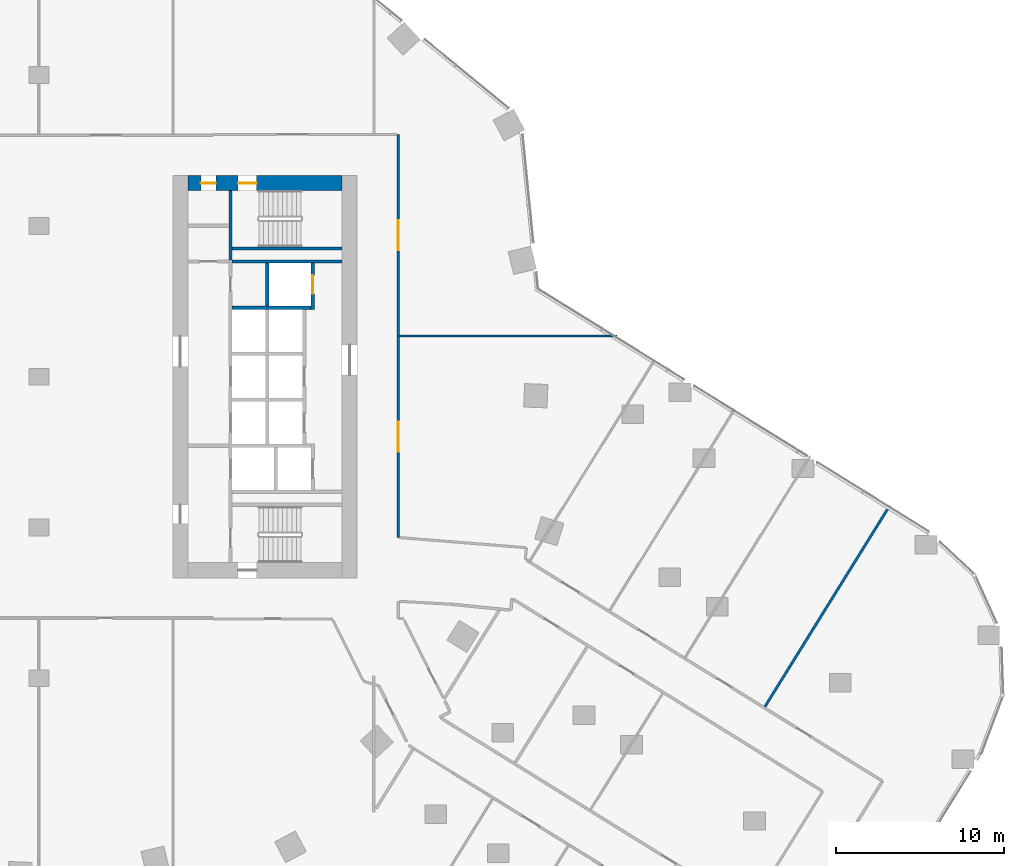
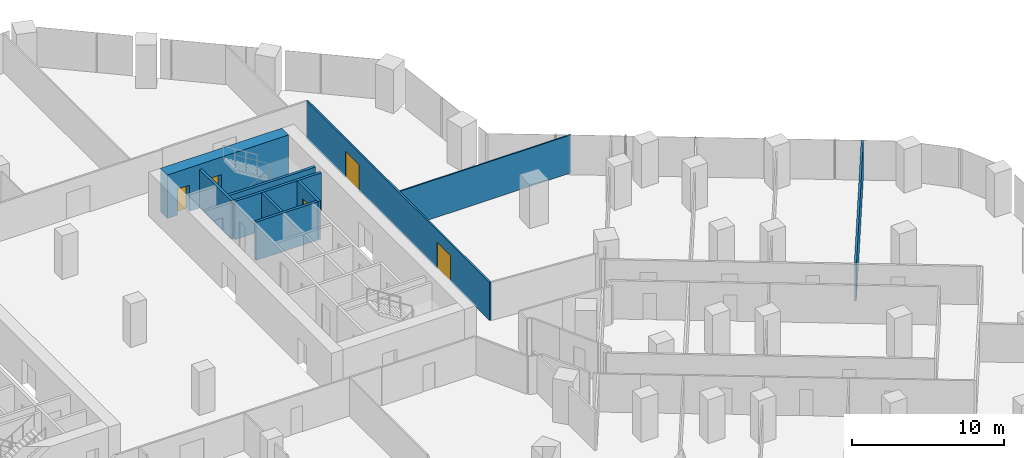
# One storey, part 32 of 34: 10 walls, 5 doors, 5 openings.
"""IFC4 building model written with IfcOpenShell, lengths in metres."""

from ifc_helpers import new_model, si_unit, direction, frame, frame_2d, origin, place, context, subcontext, project, spatial, rectangle, extrude, material, layer, layer_set, type_object, element, fill, save


model = new_model("IFC4")

# Units and contexts
model_context = context("Model", 3, precision=1e-05, world=origin(), true_north=direction((0.0, 1.0)))
body_context = subcontext(model_context, "Body", "Model", "MODEL_VIEW")
ifc_project = project(units=[si_unit("LENGTHUNIT", "METRE"), si_unit("AREAUNIT", "SQUARE_METRE"), si_unit("VOLUMEUNIT", "CUBIC_METRE"), si_unit("PLANEANGLEUNIT", "RADIAN"), si_unit("MASSUNIT", "GRAM", prefix="KILO")], contexts=[model_context])

# Site, building, storey
site_placement = place(None, origin())
site = spatial("IfcSite", under=ifc_project, at=site_placement, CompositionType="ELEMENT")
building_placement = place(site_placement, origin())
building = spatial("IfcBuilding", under=site, at=building_placement, Name="Orlundy Tower", CompositionType="ELEMENT")
storey_placement = place(building_placement, frame((0.0, 0.0, 40.800048828125)))
storey = spatial("IfcBuildingStorey", under=building, at=storey_placement, Name="L08", CompositionType="ELEMENT", Elevation=40.800048828125)

# Wall, openings, doors
ifc_material_1 = material(Name="Concrete C80/95", Category="concrete")
ifc_layer_1 = layer(ifc_material_1, 0.89990234375)
ifc_layer_set_1 = layer_set([ifc_layer_1], Name="CORE WALL 900 C80/95")
wall_type_1 = type_object("IfcWallType", Name="CORE WALL 900 C80/95", PredefinedType="SHEAR", material=ifc_layer_set_1)
wall_1_placement = place(storey_placement, frame((8.89990234375, 11.550048828125, 0.0), z_axis=(0.0, 0.0, 1.0), x_axis=(1.0, 0.0, 0.0)))
wall_1 = element("IfcWall", 1, at=wall_1_placement, inside=storey, type_object=wall_type_1, Name="Core wall E-N L08", PredefinedType="SHEAR", context=body_context, shape_type="SweptSolid", body=[
    extrude(rectangle(XDim=9.2001953125, YDim=0.89990234375, at=frame_2d((4.60009765625, 0.0))), origin(), (0.0, 0.0, 1.0), 3.5),
])
opening_1_placement = place(wall_1_placement, frame((3.0, 0.0, 0.0)))
opening_1 = element("IfcOpeningElement", 2, at=opening_1_placement, cuts=wall_1, Name="Opening 09062", PredefinedType="OPENING", context=body_context, shape_type="SweptSolid", body=[
    extrude(rectangle(XDim=1.10009765625, YDim=2.10009765625, at=frame_2d((0.550048828125, 1.050048828125))), frame((0.0, 0.4599609375, 0.0), z_axis=(0.0, -1.0, 0.0), x_axis=(1.0, 0.0, 0.0)), (0.0, 0.0, 1.0), 0.919921875),
])
opening_2_placement = place(wall_1_placement, frame((0.77001953125, 0.0, 0.0)))
opening_2 = element("IfcOpeningElement", 3, at=opening_2_placement, cuts=wall_1, Name="Opening 09064", PredefinedType="OPENING", context=body_context, shape_type="SweptSolid", body=[
    extrude(rectangle(XDim=0.89990234375, YDim=2.10009765625, at=frame_2d((0.449951171875, 1.050048828125))), frame((0.0, 0.4599609375, 0.0), z_axis=(0.0, -1.0, 0.0), x_axis=(1.0, 0.0, 0.0)), (0.0, 0.0, 1.0), 0.919921875),
])
ifc_material_2 = material(Name="Timber door set", Category="wood")
door_type_1 = type_object("IfcDoorType", Name="Room Door 900x2100", OperationType="SINGLE_SWING_LEFT", PredefinedType="DOOR", material=ifc_material_2)
door_1_placement = place(opening_2_placement, origin())
door_1 = element("IfcDoor", 4, at=door_1_placement, inside=storey, type_object=door_type_1, Name="Store door 09064", OperationType="SINGLE_SWING_LEFT", OverallHeight=2.10009765625, OverallWidth=0.89990234375, PredefinedType="DOOR", context=body_context, shape_type="SweptSolid", body=[
    extrude(rectangle(XDim=0.89990234375, YDim=2.10009765625, at=frame_2d((0.449951171875, 1.050048828125))), frame((0.0, 0.02490234375, 0.0), z_axis=(0.0, -1.0, 0.0), x_axis=(1.0, 0.0, 0.0)), (0.0, 0.0, 1.0), 0.050048828125),
])
fill(opening_2, door_1)
ifc_material_3 = material(Name="Steel door set", Category="steel")
door_type_2 = type_object("IfcDoorType", Name="Stair Door 1100x2100", OperationType="SINGLE_SWING_LEFT", PredefinedType="DOOR", material=ifc_material_3)
door_2_placement = place(opening_1_placement, origin())
door_2 = element("IfcDoor", 5, at=door_2_placement, inside=storey, type_object=door_type_2, Name="Stair door 09062", OperationType="SINGLE_SWING_LEFT", OverallHeight=2.10009765625, OverallWidth=1.10009765625, PredefinedType="DOOR", context=body_context, shape_type="SweptSolid", body=[
    extrude(rectangle(XDim=1.10009765625, YDim=2.10009765625, at=frame_2d((0.550048828125, 1.050048828125))), frame((0.0, 0.02490234375, 0.0), z_axis=(0.0, -1.0, 0.0), x_axis=(1.0, 0.0, 0.0)), (0.0, 0.0, 1.0), 0.050048828125),
])
fill(opening_1, door_2)

# Wall
ifc_material_4 = material(Name="Gypsum board partition")
ifc_layer_2 = layer(ifc_material_4, 0.10009765625)
ifc_layer_set_2 = layer_set([ifc_layer_2], Name="Floor partition 100")
wall_type_2 = type_object("IfcWallType", Name="Floor partition 100", PredefinedType="PARTITIONING", material=ifc_layer_set_2)
wall_2_placement = place(storey_placement, frame((21.511962890625, 2.427001953125, 0.0), z_axis=(0.0, 0.0, 1.0), x_axis=(1.0, 0.0, 0.0)))
element("IfcWall", 6, at=wall_2_placement, inside=storey, type_object=wall_type_2, Name="wall-int-L08-039", PredefinedType="PARTITIONING", context=body_context, shape_type="SweptSolid", body=[
    extrude(rectangle(XDim=12.969970703125, YDim=0.10009765625, at=frame_2d((6.48486328125, 0.0))), origin(), (0.0, 0.0, 1.0), 3.06005859375),
])

# Wall, openings, doors
ifc_material_5 = material(Name="Gypsum board partition, double layer")
ifc_layer_3 = layer(ifc_material_5, 0.125)
ifc_layer_set_3 = layer_set([ifc_layer_3], Name="Floor partition 125")
wall_type_3 = type_object("IfcWallType", Name="Floor partition 125", PredefinedType="PARTITIONING", material=ifc_layer_set_3)
wall_3_placement = place(storey_placement, frame((21.449951171875, 14.450927734375, 0.0), z_axis=(0.0, 0.0, 1.0), x_axis=(0.0, -1.0, 0.0)))
wall_3 = element("IfcWall", 7, at=wall_3_placement, inside=storey, type_object=wall_type_3, Name="wall-int-L08-075", PredefinedType="PARTITIONING", context=body_context, shape_type="SweptSolid", body=[
    extrude(rectangle(XDim=24.044921875, YDim=0.125, at=frame_2d((12.0224609375, 0.0))), origin(), (0.0, 0.0, 1.0), 3.06005859375),
])
opening_3_placement = place(wall_3_placement, frame((17.1240234375, 0.0, 0.0)))
opening_3 = element("IfcOpeningElement", 8, at=opening_3_placement, cuts=wall_3, Name="Opening 09129", PredefinedType="OPENING", context=body_context, shape_type="SweptSolid", body=[
    extrude(rectangle(XDim=1.800048828125, YDim=2.10009765625, at=frame_2d((0.89990234375, 1.050048828125))), frame((0.0, 0.072509765625, 0.0), z_axis=(0.0, -1.0, 0.0), x_axis=(1.0, 0.0, 0.0)), (0.0, 0.0, 1.0), 0.14501953125),
])
opening_4_placement = place(wall_3_placement, frame((5.10009765625, 0.0, 0.0)))
opening_4 = element("IfcOpeningElement", 9, at=opening_4_placement, cuts=wall_3, Name="Opening 09130", PredefinedType="OPENING", context=body_context, shape_type="SweptSolid", body=[
    extrude(rectangle(XDim=1.800048828125, YDim=2.10009765625, at=frame_2d((0.89990234375, 1.050048828125))), frame((0.0, 0.072509765625, 0.0), z_axis=(0.0, -1.0, 0.0), x_axis=(1.0, 0.0, 0.0)), (0.0, 0.0, 1.0), 0.14501953125),
])
ifc_material_6 = material(Name="Timber door leaf", Category="wood")
door_type_3 = type_object("IfcDoorType", Name="Floor door double 1800 FD30S", OperationType="NOTDEFINED", PredefinedType="DOOR", material=ifc_material_6)
door_3_placement = place(opening_3_placement, origin())
door_3 = element("IfcDoor", 10, at=door_3_placement, inside=storey, type_object=door_type_3, Name="Door 09129", OperationType="DOUBLE_DOOR_SINGLE_SWING", OverallHeight=2.10009765625, OverallWidth=1.800048828125, PredefinedType="DOOR", context=body_context, shape_type="SweptSolid", body=[
    extrude(rectangle(XDim=1.800048828125, YDim=2.10009765625, at=frame_2d((0.89990234375, 1.050048828125))), frame((0.0, 0.02490234375, 0.0), z_axis=(0.0, -1.0, 0.0), x_axis=(1.0, 0.0, 0.0)), (0.0, 0.0, 1.0), 0.050048828125),
])
fill(opening_3, door_3)
door_4_placement = place(opening_4_placement, origin())
door_4 = element("IfcDoor", 11, at=door_4_placement, inside=storey, type_object=door_type_3, Name="Door 09130", OperationType="DOUBLE_DOOR_SINGLE_SWING", OverallHeight=2.10009765625, OverallWidth=1.800048828125, PredefinedType="DOOR", context=body_context, shape_type="SweptSolid", body=[
    extrude(rectangle(XDim=1.800048828125, YDim=2.10009765625, at=frame_2d((0.89990234375, 1.050048828125))), frame((0.0, 0.02490234375, 0.0), z_axis=(0.0, -1.0, 0.0), x_axis=(1.0, 0.0, 0.0)), (0.0, 0.0, 1.0), 0.050048828125),
])
fill(opening_4, door_4)

# Walls
ifc_material_7 = material(Name="Blockwork shaft wall", Category="masonry")
ifc_layer_4 = layer(ifc_material_7, 0.14990234375)
ifc_layer_set_4 = layer_set([ifc_layer_4], Name="Floor shaft wall 150")
wall_type_4 = type_object("IfcWallType", Name="Floor shaft wall 150", PredefinedType="PARTITIONING", material=ifc_layer_set_4)
wall_4_placement = place(storey_placement, frame((43.3310546875, -19.69091796875, 0.0), z_axis=(0.0, 0.0, 1.0), x_axis=(0.527429557997, 0.849598764919, 0.0)))
element("IfcWall", 12, at=wall_4_placement, inside=storey, type_object=wall_type_4, Name="wall-int-L08-059", PredefinedType="PARTITIONING", context=body_context, shape_type="SweptSolid", body=[
    extrude(rectangle(XDim=14.123046875, YDim=0.14990234375, at=frame_2d((7.0615234375, 0.0))), origin(), (0.0, 0.0, 1.0), 3.06005859375),
])
ifc_material_8 = material(Name="Concrete C40/50", Category="concrete")
ifc_layer_5 = layer(ifc_material_8, 0.199951171875)
ifc_layer_set_5 = layer_set([ifc_layer_5], Name="Load-bearing Shaft Wall 200")
wall_type_5 = type_object("IfcWallType", Name="Load-bearing Shaft Wall 200", PredefinedType="SOLIDWALL", material=ifc_layer_set_5)
wall_5_placement = place(storey_placement, frame((11.43994140625, 11.10009765625, 0.0), z_axis=(0.0, 0.0, 1.0), x_axis=(0.0, -1.0, 0.0)))
element("IfcWall", 13, at=wall_5_placement, inside=storey, type_object=wall_type_5, Name="Shaft wall E09-stair-end-s", PredefinedType="SOLIDWALL", context=body_context, shape_type="SweptSolid", body=[
    extrude(rectangle(XDim=4.125, YDim=0.199951171875, at=frame_2d((2.0625, 0.0))), origin(), (0.0, 0.0, 1.0), 3.079833984375),
])
wall_6_placement = place(storey_placement, frame((11.5400390625, 7.64990234375, 0.0), z_axis=(0.0, 0.0, 1.0), x_axis=(1.0, 0.0, 0.0)))
element("IfcWall", 14, at=wall_6_placement, inside=storey, type_object=wall_type_5, Name="Shaft wall E09-stair-side-s", PredefinedType="SOLIDWALL", context=body_context, shape_type="SweptSolid", body=[
    extrude(rectangle(XDim=6.56005859375, YDim=0.199951171875, at=frame_2d((3.280029296875, 0.0))), origin(), (0.0, 0.0, 1.0), 3.079833984375),
])
ifc_material_9 = material(Name="Fire-rated blockwork shaft wall", Category="masonry")
ifc_layer_6 = layer(ifc_material_9, 0.199951171875)
ifc_layer_set_6 = layer_set([ifc_layer_6], Name="Shaft Wall 200")
wall_type_6 = type_object("IfcWallType", Name="Shaft Wall 200", PredefinedType="SOLIDWALL", material=ifc_layer_set_6)
wall_7_placement = place(storey_placement, frame((11.5400390625, 6.875, 0.0), z_axis=(0.0, 0.0, 1.0), x_axis=(1.0, 0.0, 0.0)))
element("IfcWall", 15, at=wall_7_placement, inside=storey, type_object=wall_type_6, Name="Shaft wall E09-zone-s", PredefinedType="SOLIDWALL", context=body_context, shape_type="SweptSolid", body=[
    extrude(rectangle(XDim=6.56005859375, YDim=0.199951171875, at=frame_2d((3.280029296875, 0.0))), origin(), (0.0, 0.0, 1.0), 3.079833984375),
])
wall_8_placement = place(storey_placement, frame((11.5400390625, 4.125, 0.0), z_axis=(0.0, 0.0, 1.0), x_axis=(1.0, 0.0, 0.0)))
element("IfcWall", 16, at=wall_8_placement, inside=storey, type_object=wall_type_6, Name="Shaft wall E09-cross-4.125", PredefinedType="SOLIDWALL", context=body_context, shape_type="SweptSolid", body=[
    extrude(rectangle(XDim=4.699951171875, YDim=0.199951171875, at=frame_2d((2.35009765625, 0.0))), origin(), (0.0, 0.0, 1.0), 3.079833984375),
])
wall_9_placement = place(storey_placement, frame((13.639892578125, 6.77490234375, 0.0), z_axis=(0.0, 0.0, 1.0), x_axis=(0.0, -1.0, 0.0)))
element("IfcWall", 17, at=wall_9_placement, inside=storey, type_object=wall_type_6, Name="Shaft wall E09-mid-a", PredefinedType="SOLIDWALL", context=body_context, shape_type="SweptSolid", body=[
    extrude(rectangle(XDim=2.5498046875, YDim=0.199951171875, at=frame_2d((1.27490234375, 0.0))), origin(), (0.0, 0.0, 1.0), 3.079833984375),
])

# Wall, opening, door
wall_10_placement = place(storey_placement, frame((16.340087890625, 6.77490234375, 0.0), z_axis=(0.0, 0.0, 1.0), x_axis=(0.0, -1.0, 0.0)))
wall_10 = element("IfcWall", 18, at=wall_10_placement, inside=storey, type_object=wall_type_6, Name="Shaft wall E09-front-o-a", PredefinedType="SOLIDWALL", context=body_context, shape_type="SweptSolid", body=[
    extrude(rectangle(XDim=2.75, YDim=0.199951171875, at=frame_2d((1.375, 0.0))), origin(), (0.0, 0.0, 1.0), 3.079833984375),
])
opening_5_placement = place(wall_10_placement, frame((0.72509765625, 0.0, 0.0)))
opening_5 = element("IfcOpeningElement", 19, at=opening_5_placement, cuts=wall_10, Name="Opening 09050", PredefinedType="OPENING", context=body_context, shape_type="SweptSolid", body=[
    extrude(rectangle(XDim=1.10009765625, YDim=2.10009765625, at=frame_2d((0.550048828125, 1.050048828125))), frame((0.0, 0.110107421875, 0.0), z_axis=(0.0, -1.0, 0.0), x_axis=(1.0, 0.0, 0.0)), (0.0, 0.0, 1.0), 0.22021484375),
])
ifc_material_10 = material(Name="Steel door set", Category="steel")
door_type_4 = type_object("IfcDoorType", Name="Landing Door 1100x2100", OperationType="DOUBLE_DOOR_SLIDING", PredefinedType="DOOR", material=ifc_material_10)
door_5_placement = place(opening_5_placement, origin())
door_5 = element("IfcDoor", 20, at=door_5_placement, inside=storey, type_object=door_type_4, Name="Lift landing door LV-02 09050", OperationType="DOUBLE_DOOR_SLIDING", OverallHeight=2.10009765625, OverallWidth=1.10009765625, PredefinedType="DOOR", context=body_context, shape_type="SweptSolid", body=[
    extrude(rectangle(XDim=1.10009765625, YDim=2.10009765625, at=frame_2d((0.550048828125, 1.050048828125))), frame((0.0, 0.02490234375, 0.0), z_axis=(0.0, -1.0, 0.0), x_axis=(1.0, 0.0, 0.0)), (0.0, 0.0, 1.0), 0.050048828125),
])
fill(opening_5, door_5)

save(model, "model.ifc")
